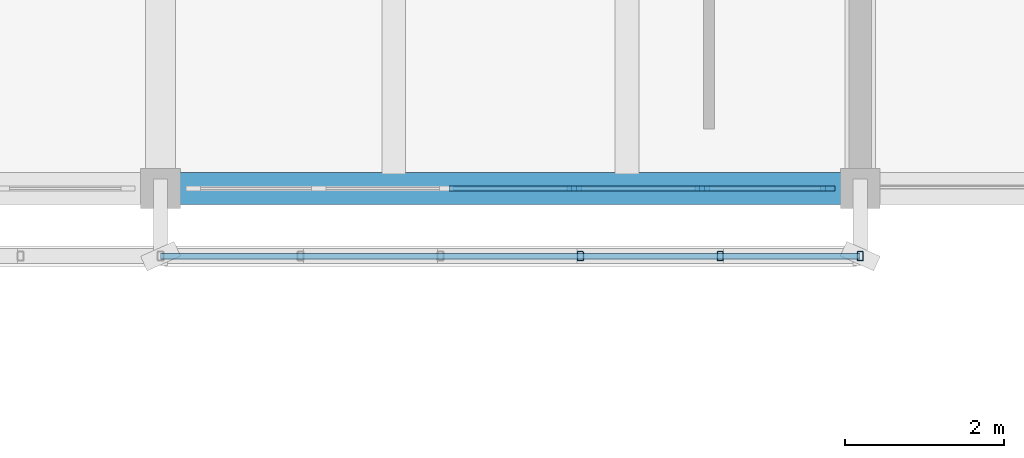
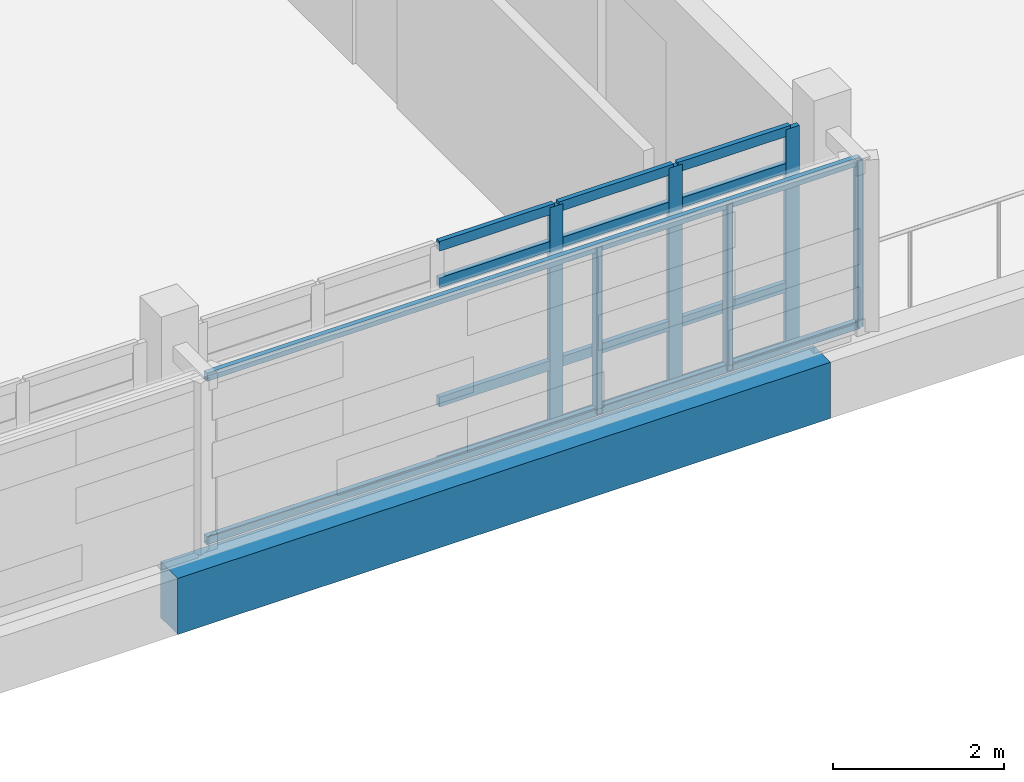
# One storey, part 28 of 50: 20 members, 1 beam, 1 element without a shape of its own.
"""IFC4 building model written with IfcOpenShell, lengths in metres."""

from ifc_helpers import new_model, si_unit, direction, frame, origin, origin_2d, place, context, subcontext, project, spatial, rectangle, hollow_rectangle, extrude, material, material_profile, profile_set, type_object, element, aggregate, save


model = new_model("IFC4")

# Units and contexts
model_context = context("Model", 3, precision=1e-05, world=origin(), true_north=direction((0.0, 1.0)))
body_context = subcontext(model_context, "Body", "Model", "MODEL_VIEW")
ifc_project = project(units=[si_unit("LENGTHUNIT", "METRE"), si_unit("AREAUNIT", "SQUARE_METRE"), si_unit("VOLUMEUNIT", "CUBIC_METRE"), si_unit("PLANEANGLEUNIT", "RADIAN"), si_unit("MASSUNIT", "GRAM", prefix="KILO")], contexts=[model_context])

# Site, building, storey
site_placement = place(None, origin())
site = spatial("IfcSite", under=ifc_project, at=site_placement, CompositionType="ELEMENT")
building_placement = place(site_placement, origin())
building = spatial("IfcBuilding", under=site, at=building_placement, Name="Cinderway Yard Community Centre", CompositionType="ELEMENT")
storey_placement = place(building_placement, frame((0.0, 0.0, 12.89990234375)))
storey = spatial("IfcBuildingStorey", under=building, at=storey_placement, Name="L03", CompositionType="ELEMENT", Elevation=12.89990234375)

# Curtain wall, members
ifc_material_1 = material(Name="Aluminium 6063-T6", Category="aluminium")
curtain_wall_type = type_object("IfcCurtainWallType", Name="ENV-CW-TYPE-33", PredefinedType="USERDEFINED", material=ifc_material_1)
curtain_wall_placement = place(storey_placement, origin())
curtain_wall = element("IfcCurtainWall", 1, at=curtain_wall_placement, inside=storey, type_object=curtain_wall_type, Name="V4 Courtyard Curtain Wall ENV-CW-L03-HS-0170", ObjectType="GLAZED CURTAIN WALL", PredefinedType="USERDEFINED")
ifc_material_profile_1 = material_profile(ifc_material_1, rectangle(XDim=0.06494140625, YDim=0.179931640625, at=origin_2d()), Name="Aluminium 6063-T6")
ifc_profile_set_1 = profile_set([ifc_material_profile_1], Name="Aluminium 6063-T6")
member_type_1 = type_object("IfcMemberType", Name="ENV-CW-MULL-180", PredefinedType="MULLION", material=ifc_profile_set_1)
member_1_placement = place(storey_placement, frame((106.803955078125, 90.0, 0.0), z_axis=(0.0, 0.0, 1.0), x_axis=(0.0, 1.0, 0.0)))
member_1 = element("IfcMember", 2, at=member_1_placement, type_object=member_type_1, Name="CW-33 mullion 4", PredefinedType="MULLION", context=body_context, shape_type="SweptSolid", body=[
    extrude(rectangle(XDim=0.06494140625, YDim=0.179931640625, at=origin_2d()), origin(), (0.0, 0.0, 1.0), 3.150146484375),
])
member_2_placement = place(storey_placement, frame((108.412109375, 90.0, 0.0), z_axis=(0.0, 0.0, 1.0), x_axis=(0.0, 1.0, 0.0)))
member_2 = element("IfcMember", 3, at=member_2_placement, type_object=member_type_1, Name="CW-33 mullion 5", PredefinedType="MULLION", context=body_context, shape_type="SweptSolid", body=[
    extrude(rectangle(XDim=0.06494140625, YDim=0.179931640625, at=origin_2d()), origin(), (0.0, 0.0, 1.0), 3.150146484375),
])
member_3_placement = place(storey_placement, frame((109.989990234375, 90.0, 0.0), z_axis=(0.0, 0.0, 1.0), x_axis=(0.0, 1.0, 0.0)))
member_3 = element("IfcMember", 4, at=member_3_placement, type_object=member_type_1, Name="CW-33 mullion 6", PredefinedType="MULLION", context=body_context, shape_type="SweptSolid", body=[
    extrude(rectangle(XDim=0.06494140625, YDim=0.179931640625, at=origin_2d()), origin(), (0.0, 0.0, 1.0), 3.150146484375),
])
ifc_material_profile_2 = material_profile(ifc_material_1, rectangle(XDim=0.06494140625, YDim=0.139892578125, at=origin_2d()), Name="Aluminium 6063-T6")
ifc_profile_set_2 = profile_set([ifc_material_profile_2], Name="Aluminium 6063-T6")
member_type_2 = type_object("IfcMemberType", Name="ENV-CW-TRAN-140", PredefinedType="USERDEFINED", material=ifc_profile_set_2)
member_4_placement = place(storey_placement, frame((105.22607421875, 90.0, 0.030029296875), z_axis=(1.0, 0.0, 0.0), x_axis=(0.0, 1.0, 0.0)))
member_4 = element("IfcMember", 5, at=member_4_placement, type_object=member_type_2, Name="CW-33 transom 3.1", ObjectType="TRANSOM", PredefinedType="USERDEFINED", context=body_context, shape_type="SweptSolid", body=[
    extrude(rectangle(XDim=0.06494140625, YDim=0.139892578125, at=origin_2d()), origin(), (0.0, 0.0, 1.0), 1.5478515625),
])
member_5_placement = place(storey_placement, frame((105.22607421875, 90.0, 0.900146484375), z_axis=(1.0, 0.0, 0.0), x_axis=(0.0, 1.0, 0.0)))
member_5 = element("IfcMember", 6, at=member_5_placement, type_object=member_type_2, Name="CW-33 transom 3.2", ObjectType="TRANSOM", PredefinedType="USERDEFINED", context=body_context, shape_type="SweptSolid", body=[
    extrude(rectangle(XDim=0.06494140625, YDim=0.139892578125, at=origin_2d()), origin(), (0.0, 0.0, 1.0), 1.5478515625),
])
member_6_placement = place(storey_placement, frame((105.22607421875, 90.0, 2.60009765625), z_axis=(1.0, 0.0, 0.0), x_axis=(0.0, 1.0, 0.0)))
member_6 = element("IfcMember", 7, at=member_6_placement, type_object=member_type_2, Name="CW-33 transom 3.3", ObjectType="TRANSOM", PredefinedType="USERDEFINED", context=body_context, shape_type="SweptSolid", body=[
    extrude(rectangle(XDim=0.06494140625, YDim=0.139892578125, at=origin_2d()), origin(), (0.0, 0.0, 1.0), 1.5478515625),
])
member_7_placement = place(storey_placement, frame((105.22607421875, 90.0, 3.1201171875), z_axis=(1.0, 0.0, 0.0), x_axis=(0.0, 1.0, 0.0)))
member_7 = element("IfcMember", 8, at=member_7_placement, type_object=member_type_2, Name="CW-33 transom 3.4", ObjectType="TRANSOM", PredefinedType="USERDEFINED", context=body_context, shape_type="SweptSolid", body=[
    extrude(rectangle(XDim=0.06494140625, YDim=0.139892578125, at=origin_2d()), origin(), (0.0, 0.0, 1.0), 1.5478515625),
])
member_8_placement = place(storey_placement, frame((106.833984375, 90.0, 0.030029296875), z_axis=(1.0, 0.0, 0.0), x_axis=(0.0, 1.0, 0.0)))
member_8 = element("IfcMember", 9, at=member_8_placement, type_object=member_type_2, Name="CW-33 transom 4.1", ObjectType="TRANSOM", PredefinedType="USERDEFINED", context=body_context, shape_type="SweptSolid", body=[
    extrude(rectangle(XDim=0.06494140625, YDim=0.139892578125, at=origin_2d()), origin(), (0.0, 0.0, 1.0), 1.548095703125),
])
member_9_placement = place(storey_placement, frame((106.833984375, 90.0, 0.900146484375), z_axis=(1.0, 0.0, 0.0), x_axis=(0.0, 1.0, 0.0)))
member_9 = element("IfcMember", 10, at=member_9_placement, type_object=member_type_2, Name="CW-33 transom 4.2", ObjectType="TRANSOM", PredefinedType="USERDEFINED", context=body_context, shape_type="SweptSolid", body=[
    extrude(rectangle(XDim=0.06494140625, YDim=0.139892578125, at=origin_2d()), origin(), (0.0, 0.0, 1.0), 1.548095703125),
])
member_10_placement = place(storey_placement, frame((106.833984375, 90.0, 2.60009765625), z_axis=(1.0, 0.0, 0.0), x_axis=(0.0, 1.0, 0.0)))
member_10 = element("IfcMember", 11, at=member_10_placement, type_object=member_type_2, Name="CW-33 transom 4.3", ObjectType="TRANSOM", PredefinedType="USERDEFINED", context=body_context, shape_type="SweptSolid", body=[
    extrude(rectangle(XDim=0.06494140625, YDim=0.139892578125, at=origin_2d()), origin(), (0.0, 0.0, 1.0), 1.548095703125),
])
member_11_placement = place(storey_placement, frame((106.833984375, 90.0, 3.1201171875), z_axis=(1.0, 0.0, 0.0), x_axis=(0.0, 1.0, 0.0)))
member_11 = element("IfcMember", 12, at=member_11_placement, type_object=member_type_2, Name="CW-33 transom 4.4", ObjectType="TRANSOM", PredefinedType="USERDEFINED", context=body_context, shape_type="SweptSolid", body=[
    extrude(rectangle(XDim=0.06494140625, YDim=0.139892578125, at=origin_2d()), origin(), (0.0, 0.0, 1.0), 1.548095703125),
])
member_12_placement = place(storey_placement, frame((108.44189453125, 90.0, 0.030029296875), z_axis=(1.0, 0.0, 0.0), x_axis=(0.0, 1.0, 0.0)))
member_12 = element("IfcMember", 13, at=member_12_placement, type_object=member_type_2, Name="CW-33 transom 5.1", ObjectType="TRANSOM", PredefinedType="USERDEFINED", context=body_context, shape_type="SweptSolid", body=[
    extrude(rectangle(XDim=0.06494140625, YDim=0.139892578125, at=origin_2d()), origin(), (0.0, 0.0, 1.0), 1.51806640625),
])
member_13_placement = place(storey_placement, frame((108.44189453125, 90.0, 0.900146484375), z_axis=(1.0, 0.0, 0.0), x_axis=(0.0, 1.0, 0.0)))
member_13 = element("IfcMember", 14, at=member_13_placement, type_object=member_type_2, Name="CW-33 transom 5.2", ObjectType="TRANSOM", PredefinedType="USERDEFINED", context=body_context, shape_type="SweptSolid", body=[
    extrude(rectangle(XDim=0.06494140625, YDim=0.139892578125, at=origin_2d()), origin(), (0.0, 0.0, 1.0), 1.51806640625),
])
member_14_placement = place(storey_placement, frame((108.44189453125, 90.0, 2.60009765625), z_axis=(1.0, 0.0, 0.0), x_axis=(0.0, 1.0, 0.0)))
member_14 = element("IfcMember", 15, at=member_14_placement, type_object=member_type_2, Name="CW-33 transom 5.3", ObjectType="TRANSOM", PredefinedType="USERDEFINED", context=body_context, shape_type="SweptSolid", body=[
    extrude(rectangle(XDim=0.06494140625, YDim=0.139892578125, at=origin_2d()), origin(), (0.0, 0.0, 1.0), 1.51806640625),
])
member_15_placement = place(storey_placement, frame((108.44189453125, 90.0, 3.1201171875), z_axis=(1.0, 0.0, 0.0), x_axis=(0.0, 1.0, 0.0)))
member_15 = element("IfcMember", 16, at=member_15_placement, type_object=member_type_2, Name="CW-33 transom 5.4", ObjectType="TRANSOM", PredefinedType="USERDEFINED", context=body_context, shape_type="SweptSolid", body=[
    extrude(rectangle(XDim=0.06494140625, YDim=0.139892578125, at=origin_2d()), origin(), (0.0, 0.0, 1.0), 1.51806640625),
])
aggregate(curtain_wall, [member_1, member_2, member_3, member_4, member_5, member_6, member_7, member_8, member_9, member_10, member_11, member_12, member_13, member_14, member_15])

# Members
ifc_material_2 = material(Name="Steel S355", Category="steel")
ifc_material_profile_3 = material_profile(ifc_material_2, hollow_rectangle(XDim=0.080078125, YDim=0.1201171875, WallThickness=0.00634765625, InnerFilletRadius=0.00634765625, OuterFilletRadius=0.0126953125, at=origin_2d()), Name="Steel S355")
ifc_profile_set_3 = profile_set([ifc_material_profile_3], Name="Steel S355")
member_type_3 = type_object("IfcMemberType", Name="ENV-MEM-SCREEN-RAIL-120", PredefinedType="STRINGER", material=ifc_profile_set_3)
for number, where, z_axis, x_axis, name in (
    (17, (101.60009765625, 89.14990234375, 0.710205078125), (1.0, 0.0, 0.0), (0.0, 1.0, 0.0), "Screen support rail 0536-BOT"),
    (18, (101.60009765625, 89.14990234375, 3.0400390625), (1.0, 0.0, 0.0), (0.0, 1.0, 0.0), "Screen support rail 0537-TOP"),
):
    element("IfcMember", number, at=place(storey_placement, frame(where, z_axis=z_axis, x_axis=x_axis)), inside=storey, type_object=member_type_3, Name=name, PredefinedType="STRINGER", context=body_context, shape_type="SweptSolid", body=[
        extrude(hollow_rectangle(XDim=0.080078125, YDim=0.1201171875, WallThickness=0.00634765625, InnerFilletRadius=0.00634765625, OuterFilletRadius=0.0126953125, at=origin_2d()), origin(), (0.0, 0.0, 1.0), 8.7998046875),
    ])
for number, where, z_axis, x_axis, name in (
    (19, (106.8798828125, 89.14990234375, 0.690185546875), (0.0, 0.0, 1.0), (1.0, 0.0, 0.0), "Screen vertical mullion 0540"),
    (20, (108.639892578125, 89.14990234375, 0.690185546875), (0.0, 0.0, 1.0), (1.0, 0.0, 0.0), "Screen vertical mullion 0541"),
    (21, (110.39990234375, 89.14990234375, 0.690185546875), (0.0, 0.0, 1.0), (1.0, 0.0, 0.0), "Screen vertical mullion 0542"),
):
    element("IfcMember", number, at=place(storey_placement, frame(where, z_axis=z_axis, x_axis=x_axis)), inside=storey, type_object=member_type_3, Name=name, PredefinedType="STRINGER", context=body_context, shape_type="SweptSolid", body=[
        extrude(hollow_rectangle(XDim=0.080078125, YDim=0.1201171875, WallThickness=0.00634765625, InnerFilletRadius=0.00634765625, OuterFilletRadius=0.0126953125, at=origin_2d()), origin(), (0.0, 0.0, 1.0), 2.369873046875),
    ])

# Beam
ifc_material_3 = material(Name="Concrete C40/50", Category="concrete")
ifc_material_profile_4 = material_profile(ifc_material_3, rectangle(XDim=0.39990234375, YDim=0.800048828125, at=origin_2d()), Name="Concrete C40/50")
ifc_profile_set_4 = profile_set([ifc_material_profile_4], Name="Concrete C40/50")
beam_type = type_object("IfcBeamType", Name="STR-BM-RC400X800", PredefinedType="BEAM", material=ifc_profile_set_4)
beam_placement = place(storey_placement, frame((101.60009765625, 90.0, -0.639892578125), z_axis=(1.0, 0.0, 0.0), x_axis=(0.0, 1.0, 0.0)))
element("IfcBeam", 22, at=beam_placement, inside=storey, type_object=beam_type, Name="Primary girder STR-BM-L03-BG05-0677", PredefinedType="BEAM", context=body_context, shape_type="SweptSolid", body=[
    extrude(rectangle(XDim=0.39990234375, YDim=0.800048828125, at=origin_2d()), origin(), (0.0, 0.0, 1.0), 8.7998046875),
])

save(model, "model.ifc")
